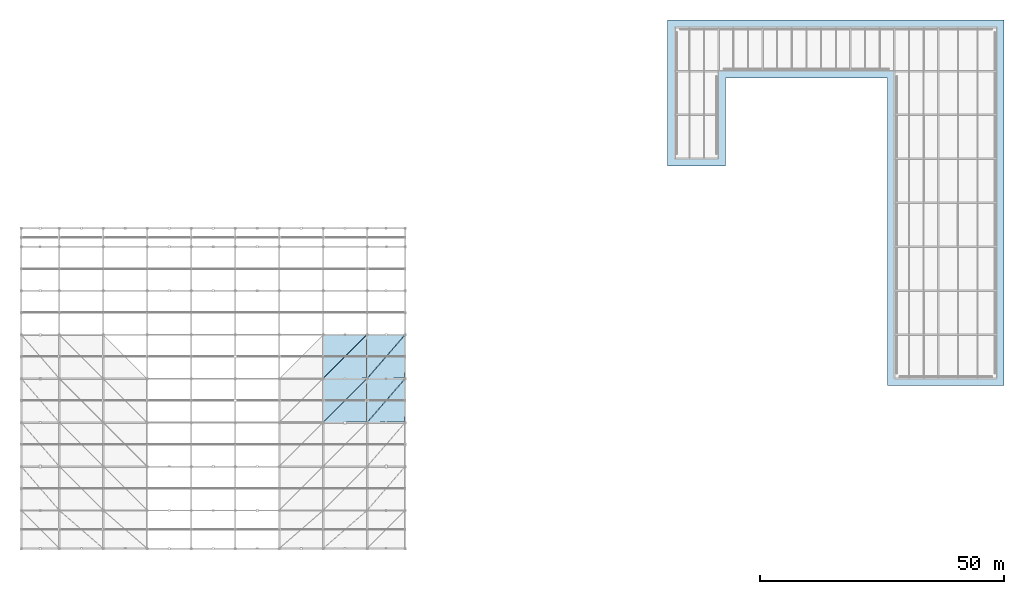
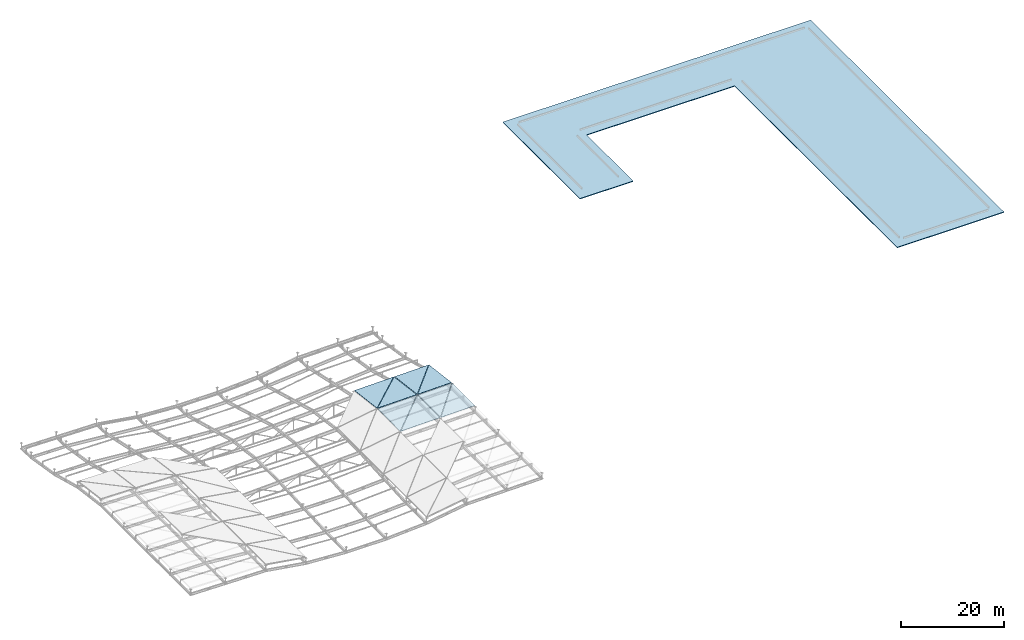
# One storey, part 79 of 80: 9 roofs.
"""IFC4 building model written with IfcOpenShell, lengths in metres."""

from ifc_helpers import new_model, si_unit, direction, frame, origin, place, context, subcontext, project, spatial, polyline, outline, extrude, material, layer, layer_set, type_object, element, save


model = new_model("IFC4")

# Units and contexts
model_context = context("Model", 3, precision=1e-05, world=origin(), true_north=direction((0.0, 1.0)))
body_context = subcontext(model_context, "Body", "Model", "MODEL_VIEW")
ifc_project = project(units=[si_unit("LENGTHUNIT", "METRE"), si_unit("AREAUNIT", "SQUARE_METRE"), si_unit("VOLUMEUNIT", "CUBIC_METRE"), si_unit("PLANEANGLEUNIT", "RADIAN"), si_unit("MASSUNIT", "GRAM", prefix="KILO")], contexts=[model_context])

# Site, building, storey
site_placement = place(None, origin())
site = spatial("IfcSite", under=ifc_project, at=site_placement, CompositionType="ELEMENT")
building_placement = place(site_placement, origin())
building = spatial("IfcBuilding", under=site, at=building_placement, Name="Barlavento Convention Centre", CompositionType="ELEMENT")
storey_placement = place(building_placement, frame((0.0, 0.0, 29.800048828125)))
storey = spatial("IfcBuildingStorey", under=building, at=storey_placement, Name="RF", CompositionType="ELEMENT", Elevation=29.800048828125)

# Roofs
ifc_material_1 = material(Name="PVDF standing-seam aluminium roof deck", Category="aluminium")
ifc_layer_1 = layer(ifc_material_1, 0.050048828125)
ifc_layer_set_1 = layer_set([ifc_layer_1], Name="ARC-ROOF-CONG-FREE")
roof_type_1 = type_object("IfcRoofType", Name="ARC-ROOF-CONG-FREE", PredefinedType="FREEFORM", material=ifc_layer_set_1)
roof_1_placement = place(storey_placement, frame((54.107421875, 18.0537109375, 1.60595703125), z_axis=(-0.014495635261, -4.001235e-06, 0.999894932752), x_axis=(0.999888640214, 0.003547670084, 0.014495558234)))
element("IfcRoof", 1, at=roof_1_placement, inside=storey, type_object=roof_type_1, Name="Congress standing-seam roof deck 119", PredefinedType="FREEFORM", context=body_context, shape_type="SweptSolid", body=[
    extrude(outline(polyline([(0.0, 0.0), (8.808598111102933, -1.5771753477875072e-18), (8.871098229025588, 8.80745088307188), (0.0, 0.0)])), origin(), (0.0, 0.0, -1.0), 0.050048828125),
])
roof_2_placement = place(storey_placement, frame((54.0537109375, 18.107421875, 1.60498046875), z_axis=(-0.014495635261, -4.001235e-06, 0.999894932752), x_axis=(0.70706961087, 0.70706961087, 0.010253329624)))
element("IfcRoof", 2, at=roof_2_placement, inside=storey, type_object=roof_type_1, Name="Congress standing-seam roof deck 120", PredefinedType="FREEFORM", context=body_context, shape_type="SweptSolid", body=[
    extrude(outline(polyline([(0.0, 0.0), (12.500702974102877, 4.0635897424756706e-16), (6.249699389305578, 6.206154595703968), (0.0, 0.0)])), origin(), (0.0, 0.0, -1.0), 0.050048828125),
])
roof_3_placement = place(storey_placement, frame((54.107421875, 27.0537109375, 1.60595703125), z_axis=(-0.014834161121, 0.130226032628, 0.991373354539), x_axis=(0.999888640214, 0.003547670084, 0.014495558234)))
element("IfcRoof", 3, at=roof_3_placement, inside=storey, type_object=roof_type_1, Name="Congress standing-seam roof deck 121", PredefinedType="FREEFORM", context=body_context, shape_type="SweptSolid", body=[
    extrude(outline(polyline([(0.0, 0.0), (8.808598111102933, -3.469446951953614e-18), (8.85432712295416, 8.883157357540194), (0.0, 0.0)])), origin(), (0.0, 0.0, -1.0), 0.050048828125),
])
roof_4_placement = place(storey_placement, frame((54.0537109375, 27.107421875, 1.60498046875), z_axis=(-0.013901160076, 0.130872789852, 0.991301705146), x_axis=(0.704658202878, 0.704658202878, -0.083148266564)))
element("IfcRoof", 4, at=roof_4_placement, inside=storey, type_object=roof_type_1, Name="Congress standing-seam roof deck 122", PredefinedType="FREEFORM", context=body_context, shape_type="SweptSolid", body=[
    extrude(outline(polyline([(0.0, 0.0), (12.543481579290692, 9.71445146547012e-17), (6.325027947782905, 6.238604350261072), (0.0, 0.0)])), origin(), (0.0, 0.0, -1.0), 0.050048828125),
])
roof_5_placement = place(storey_placement, frame((63.10400390625, 18.06005859375, 1.736328125), z_axis=(-0.014517328325, 2.3009593e-05, 0.999894617772), x_axis=(0.999886467999, 0.004037873625, 0.01451711708)))
element("IfcRoof", 5, at=roof_5_placement, inside=storey, type_object=roof_type_1, Name="Congress standing-seam roof deck 135", PredefinedType="FREEFORM", context=body_context, shape_type="SweptSolid", body=[
    extrude(outline(polyline([(0.0, 0.0), (7.61829656107486, 2.9002408113987244e-18), (7.684587873427654, 8.798876322607493), (0.0, 0.0)])), origin(), (0.0, 0.0, -1.0), 0.050048828125),
])
roof_6_placement = place(storey_placement, frame((63.047607421875, 18.110107421875, 1.735595703125), z_axis=(-0.014517329951, 2.3412399e-05, 0.999894617739), x_axis=(0.654701336306, 0.755828116387, 0.009487819417)))
element("IfcRoof", 6, at=roof_6_placement, inside=storey, type_object=roof_type_1, Name="Congress standing-seam roof deck 136", PredefinedType="FREEFORM", context=body_context, shape_type="SweptSolid", body=[
    extrude(outline(polyline([(0.0, 0.0), (11.682330668748959, -1.3986208025063007e-16), (6.670888110412041, 5.737933946724603), (0.0, 0.0)])), origin(), (0.0, 0.0, -1.0), 0.050048828125),
])
roof_7_placement = place(storey_placement, frame((63.10400390625, 27.06005859375, 1.736328125), z_axis=(-0.014919485159, 0.130268549987, 0.99136648816), x_axis=(0.999886467999, 0.004037873625, 0.01451711708)))
element("IfcRoof", 7, at=roof_7_placement, inside=storey, type_object=roof_type_1, Name="Congress standing-seam roof deck 137", PredefinedType="FREEFORM", context=body_context, shape_type="SweptSolid", body=[
    extrude(outline(polyline([(0.0, 0.0), (7.61829656107486, 3.469446951953614e-18), (7.667806001022288, 8.874567763272506), (0.0, 0.0)])), origin(), (0.0, 0.0, -1.0), 0.050048828125),
])
roof_8_placement = place(storey_placement, frame((63.047607421875, 27.110107421875, 1.735595703125), z_axis=(-0.013808914611, 0.130834971504, 0.991307986505), x_axis=(0.652057763456, 0.752776210768, -0.090269871045)))
element("IfcRoof", 8, at=roof_8_placement, inside=storey, type_object=roof_type_1, Name="Congress standing-seam roof deck 138", PredefinedType="FREEFORM", context=body_context, shape_type="SweptSolid", body=[
    extrude(outline(polyline([(0.0, 0.0), (11.729693178495895, 7.077671781985373e-16), (6.748743160414025, 5.764265986425269), (0.0, 0.0)])), origin(), (0.0, 0.0, -1.0), 0.050048828125),
])
ifc_material_2 = material(Name="Insulated waterproof flat roof deck", Category="concrete")
ifc_layer_2 = layer(ifc_material_2, 0.050048828125)
ifc_layer_set_2 = layer_set([ifc_layer_2], Name="ARC-ROOF-FLAT-WING")
roof_type_2 = type_object("IfcRoofType", Name="ARC-ROOF-FLAT-WING", PredefinedType="FLAT_ROOF", material=ifc_layer_set_2)
roof_9_placement = place(storey_placement, origin())
element("IfcRoof", 9, at=roof_9_placement, inside=storey, type_object=roof_type_2, Name="V4 horizontal roof deck RS-601", PredefinedType="FLAT_ROOF", context=body_context, shape_type="SweptSolid", body=[
    extrude(outline(polyline([(169.550048828125, 25.550048828125), (169.550048828125, 88.550048828125), (136.449951171875, 88.550048828125), (136.449951171875, 70.550048828125), (124.550048828125, 70.550048828125), (124.550048828125, 100.449951171875), (193.449951171875, 100.449951171875), (193.449951171875, 25.550048828125), (169.550048828125, 25.550048828125)])), origin(), (0.0, 0.0, 1.0), 0.159912109375),
])

save(model, "model.ifc")
